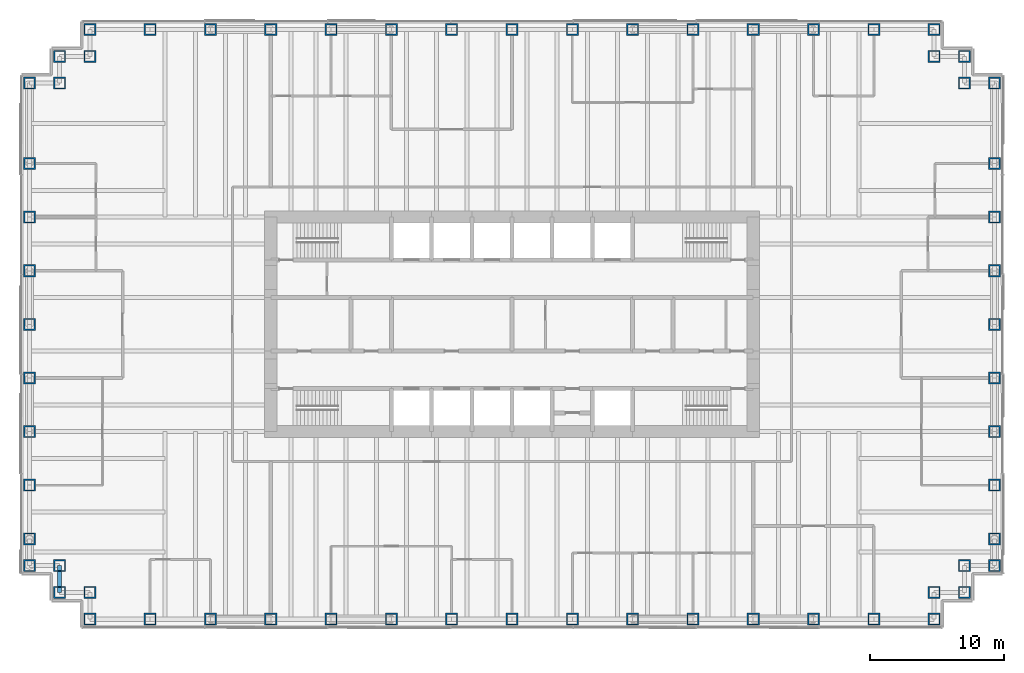
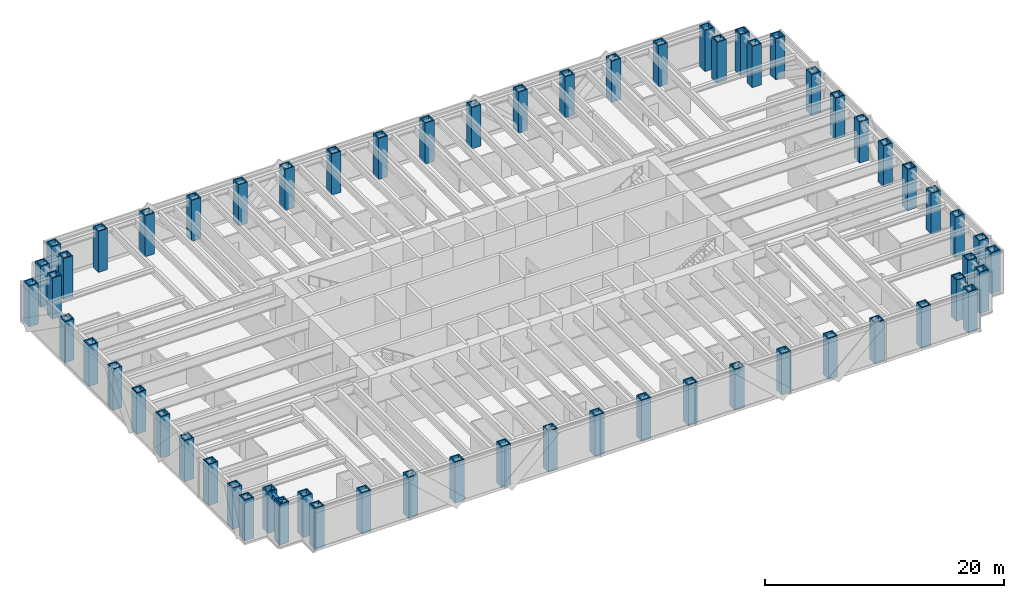
# One storey, part 1 of 15: 62 columns, 1 beam.
"""IFC4 building model written with IfcOpenShell, lengths in metres."""

from ifc_helpers import new_model, si_unit, direction, frame, origin, origin_2d, place, context, subcontext, project, spatial, hollow_rectangle, i_section, extrude, material, material_profile, profile_set, type_object, element, save


model = new_model("IFC4")

# Units and contexts
model_context = context("Model", 3, precision=1e-05, world=origin(), true_north=direction((0.0, 1.0)))
body_context = subcontext(model_context, "Body", "Model", "MODEL_VIEW")
ifc_project = project(units=[si_unit("LENGTHUNIT", "METRE"), si_unit("AREAUNIT", "SQUARE_METRE"), si_unit("VOLUMEUNIT", "CUBIC_METRE"), si_unit("PLANEANGLEUNIT", "RADIAN"), si_unit("MASSUNIT", "GRAM", prefix="KILO")], contexts=[model_context])

# Site, building, storey
site_placement = place(None, origin())
site = spatial("IfcSite", under=ifc_project, at=site_placement, CompositionType="ELEMENT")
building_placement = place(site_placement, origin())
building = spatial("IfcBuilding", under=site, at=building_placement, Name="Rheinbord Bourse Tower", CompositionType="ELEMENT")
storey_placement = place(building_placement, frame((0.0, 0.0, 142.5)))
storey = spatial("IfcBuildingStorey", under=building, at=storey_placement, Name="L31", CompositionType="ELEMENT", Elevation=142.5)

# Columns
ifc_material_1 = material(Name="Steel S460M", Category="steel")
ifc_material_profile_1 = material_profile(ifc_material_1, hollow_rectangle(XDim=0.89990234375, YDim=0.89990234375, WallThickness=0.10009765625, at=origin_2d()), Name="BOX 900x900x100")
ifc_profile_set_1 = profile_set([ifc_material_profile_1], Name="Steel S460M")
column_type = type_object("IfcColumnType", Name="TUBE COLUMN BOX 900x900x100", PredefinedType="COLUMN", material=ifc_profile_set_1)
for number, where, z_axis, x_axis, name in (
    (1, (4.5, 2.0, 0.0), (0.0, 0.0, 1.0), (0.0, 1.0, 0.0), "Column SW-E L31"),
    (2, (9.0, 2.0, 0.0), (0.0, 0.0, 1.0), (0.0, 1.0, 0.0), "Column S-9 L31"),
    (3, (13.5, 2.0, 0.0), (0.0, 0.0, 1.0), (0.0, 1.0, 0.0), "Column S-13.5 L31"),
    (4, (18.0, 2.0, 0.0), (0.0, 0.0, 1.0), (0.0, 1.0, 0.0), "Column S-18 L31"),
    (5, (22.5, 2.0, 0.0), (0.0, 0.0, 1.0), (0.0, 1.0, 0.0), "Column S-22.5 L31"),
    (6, (27.0, 2.0, 0.0), (0.0, 0.0, 1.0), (0.0, 1.0, 0.0), "Column S-27 L31"),
    (7, (31.5, 2.0, 0.0), (0.0, 0.0, 1.0), (0.0, 1.0, 0.0), "Column S-31.5 L31"),
    (8, (36.0, 2.0, 0.0), (0.0, 0.0, 1.0), (0.0, 1.0, 0.0), "Column S-36 L31"),
    (9, (40.5, 2.0, 0.0), (0.0, 0.0, 1.0), (0.0, 1.0, 0.0), "Column S-40.5 L31"),
    (10, (45.0, 2.0, 0.0), (0.0, 0.0, 1.0), (0.0, 1.0, 0.0), "Column S-45 L31"),
    (11, (49.5, 2.0, 0.0), (0.0, 0.0, 1.0), (0.0, 1.0, 0.0), "Column S-49.5 L31"),
    (12, (54.0, 2.0, 0.0), (0.0, 0.0, 1.0), (0.0, 1.0, 0.0), "Column S-54 L31"),
    (13, (58.5, 2.0, 0.0), (0.0, 0.0, 1.0), (0.0, 1.0, 0.0), "Column S-58.5 L31"),
    (14, (63.0, 2.0, 0.0), (0.0, 0.0, 1.0), (0.0, 1.0, 0.0), "Column S-63 L31"),
    (15, (67.5, 2.0, 0.0), (0.0, 0.0, 1.0), (0.0, 1.0, 0.0), "Column SE-E L31"),
    (16, (67.5, 4.0, 0.0), (0.0, 0.0, 1.0), (0.0, 1.0, 0.0), "Column SE-D L31"),
    (17, (69.75, 4.0, 0.0), (0.0, 0.0, 1.0), (1.0, 0.0, 0.0), "Column SE-C L31"),
    (18, (69.75, 6.0, 0.0), (0.0, 0.0, 1.0), (1.0, 0.0, 0.0), "Column SE-B L31"),
    (19, (72.0, 6.0, 0.0), (0.0, 0.0, 1.0), (1.0, 0.0, 0.0), "Column SE-A L31"),
    (20, (72.0, 8.0, 0.0), (0.0, 0.0, 1.0), (1.0, 0.0, 0.0), "Column E-8 L31"),
    (21, (72.0, 12.0, 0.0), (0.0, 0.0, 1.0), (1.0, 0.0, 0.0), "Column E-12 L31"),
    (22, (72.0, 16.0, 0.0), (0.0, 0.0, 1.0), (1.0, 0.0, 0.0), "Column E-16 L31"),
    (23, (72.0, 20.0, 0.0), (0.0, 0.0, 1.0), (1.0, 0.0, 0.0), "Column E-20 L31"),
    (24, (72.0, 24.0, 0.0), (0.0, 0.0, 1.0), (1.0, 0.0, 0.0), "Column E-24 L31"),
    (25, (72.0, 28.0, 0.0), (0.0, 0.0, 1.0), (1.0, 0.0, 0.0), "Column E-28 L31"),
    (26, (72.0, 32.0, 0.0), (0.0, 0.0, 1.0), (1.0, 0.0, 0.0), "Column E-32 L31"),
    (27, (72.0, 36.0, 0.0), (0.0, 0.0, 1.0), (1.0, 0.0, 0.0), "Column E-36 L31"),
    (28, (72.0, 42.0, 0.0), (0.0, 0.0, 1.0), (1.0, 0.0, 0.0), "Column NE-A L31"),
    (29, (69.75, 42.0, 0.0), (0.0, 0.0, 1.0), (1.0, 0.0, 0.0), "Column NE-B L31"),
    (30, (69.75, 44.0, 0.0), (0.0, 0.0, 1.0), (1.0, 0.0, 0.0), "Column NE-C L31"),
    (31, (67.5, 44.0, 0.0), (0.0, 0.0, 1.0), (0.0, 1.0, 0.0), "Column NE-D L31"),
    (32, (67.5, 46.0, 0.0), (0.0, 0.0, 1.0), (0.0, 1.0, 0.0), "Column NE-E L31"),
    (33, (63.0, 46.0, 0.0), (0.0, 0.0, 1.0), (0.0, 1.0, 0.0), "Column N-63 L31"),
    (34, (58.5, 46.0, 0.0), (0.0, 0.0, 1.0), (0.0, 1.0, 0.0), "Column N-58.5 L31"),
    (35, (54.0, 46.0, 0.0), (0.0, 0.0, 1.0), (0.0, 1.0, 0.0), "Column N-54 L31"),
    (36, (49.5, 46.0, 0.0), (0.0, 0.0, 1.0), (0.0, 1.0, 0.0), "Column N-49.5 L31"),
    (37, (45.0, 46.0, 0.0), (0.0, 0.0, 1.0), (0.0, 1.0, 0.0), "Column N-45 L31"),
    (38, (40.5, 46.0, 0.0), (0.0, 0.0, 1.0), (0.0, 1.0, 0.0), "Column N-40.5 L31"),
    (39, (36.0, 46.0, 0.0), (0.0, 0.0, 1.0), (0.0, 1.0, 0.0), "Column N-36 L31"),
    (40, (31.5, 46.0, 0.0), (0.0, 0.0, 1.0), (0.0, 1.0, 0.0), "Column N-31.5 L31"),
    (41, (27.0, 46.0, 0.0), (0.0, 0.0, 1.0), (0.0, 1.0, 0.0), "Column N-27 L31"),
    (42, (22.5, 46.0, 0.0), (0.0, 0.0, 1.0), (0.0, 1.0, 0.0), "Column N-22.5 L31"),
    (43, (18.0, 46.0, 0.0), (0.0, 0.0, 1.0), (0.0, 1.0, 0.0), "Column N-18 L31"),
    (44, (13.5, 46.0, 0.0), (0.0, 0.0, 1.0), (0.0, 1.0, 0.0), "Column N-13.5 L31"),
    (45, (9.0, 46.0, 0.0), (0.0, 0.0, 1.0), (0.0, 1.0, 0.0), "Column N-9 L31"),
    (46, (4.5, 46.0, 0.0), (0.0, 0.0, 1.0), (0.0, 1.0, 0.0), "Column NW-E L31"),
    (47, (4.5, 44.0, 0.0), (0.0, 0.0, 1.0), (0.0, 1.0, 0.0), "Column NW-D L31"),
    (48, (2.25, 44.0, 0.0), (0.0, 0.0, 1.0), (1.0, 0.0, 0.0), "Column NW-C L31"),
    (49, (2.25, 42.0, 0.0), (0.0, 0.0, 1.0), (1.0, 0.0, 0.0), "Column NW-B L31"),
    (50, (0.0, 42.0, 0.0), (0.0, 0.0, 1.0), (1.0, 0.0, 0.0), "Column NW-A L31"),
    (51, (0.0, 36.0, 0.0), (0.0, 0.0, 1.0), (1.0, 0.0, 0.0), "Column W-36 L31"),
    (52, (0.0, 32.0, 0.0), (0.0, 0.0, 1.0), (1.0, 0.0, 0.0), "Column W-32 L31"),
    (53, (0.0, 28.0, 0.0), (0.0, 0.0, 1.0), (1.0, 0.0, 0.0), "Column W-28 L31"),
    (54, (0.0, 24.0, 0.0), (0.0, 0.0, 1.0), (1.0, 0.0, 0.0), "Column W-24 L31"),
    (55, (0.0, 20.0, 0.0), (0.0, 0.0, 1.0), (1.0, 0.0, 0.0), "Column W-20 L31"),
    (56, (0.0, 16.0, 0.0), (0.0, 0.0, 1.0), (1.0, 0.0, 0.0), "Column W-16 L31"),
    (57, (0.0, 12.0, 0.0), (0.0, 0.0, 1.0), (1.0, 0.0, 0.0), "Column W-12 L31"),
    (58, (0.0, 8.0, 0.0), (0.0, 0.0, 1.0), (1.0, 0.0, 0.0), "Column W-8 L31"),
    (59, (0.0, 6.0, 0.0), (0.0, 0.0, 1.0), (1.0, 0.0, 0.0), "Column SW-A L31"),
    (60, (2.25, 6.0, 0.0), (0.0, 0.0, 1.0), (1.0, 0.0, 0.0), "Column SW-B L31"),
    (61, (2.25, 4.0, 0.0), (0.0, 0.0, 1.0), (1.0, 0.0, 0.0), "Column SW-C L31"),
    (62, (4.5, 4.0, 0.0), (0.0, 0.0, 1.0), (0.0, 1.0, 0.0), "Column SW-D L31"),
):
    element("IfcColumn", number, at=place(storey_placement, frame(where, z_axis=z_axis, x_axis=x_axis)), inside=storey, type_object=column_type, Name=name, PredefinedType="COLUMN", context=body_context, shape_type="SweptSolid", body=[
        extrude(hollow_rectangle(XDim=0.89990234375, YDim=0.89990234375, WallThickness=0.10009765625, at=origin_2d()), origin(), (0.0, 0.0, 1.0), 4.199951171875),
    ])

# Beam
ifc_material_2 = material(Name="Steel S460", Category="steel")
ifc_material_profile_2 = material_profile(ifc_material_2, i_section(OverallWidth=0.305908203125, OverallDepth=0.572021484375, WebThickness=0.02099609375, FlangeThickness=0.0400390625, at=origin_2d()), Name="HEM 550")
ifc_profile_set_2 = profile_set([ifc_material_profile_2], Name="Steel S460")
beam_type = type_object("IfcBeamType", Name="SPANDREL HEM 550", PredefinedType="SPANDREL", material=ifc_profile_set_2)
beam_placement = place(storey_placement, frame((2.25, 6.0, 3.75390625), z_axis=(0.0, -1.0, 0.0), x_axis=(1.0, 0.0, 0.0)))
element("IfcBeam", 63, at=beam_placement, inside=storey, type_object=beam_type, Name="Spandrel SW-B-SW-C under L32", PredefinedType="SPANDREL", context=body_context, shape_type="SweptSolid", body=[
    extrude(i_section(OverallWidth=0.305908203125, OverallDepth=0.572021484375, WebThickness=0.02099609375, FlangeThickness=0.0400390625, at=origin_2d()), origin(), (0.0, 0.0, 1.0), 2.0),
])

save(model, "model.ifc")
